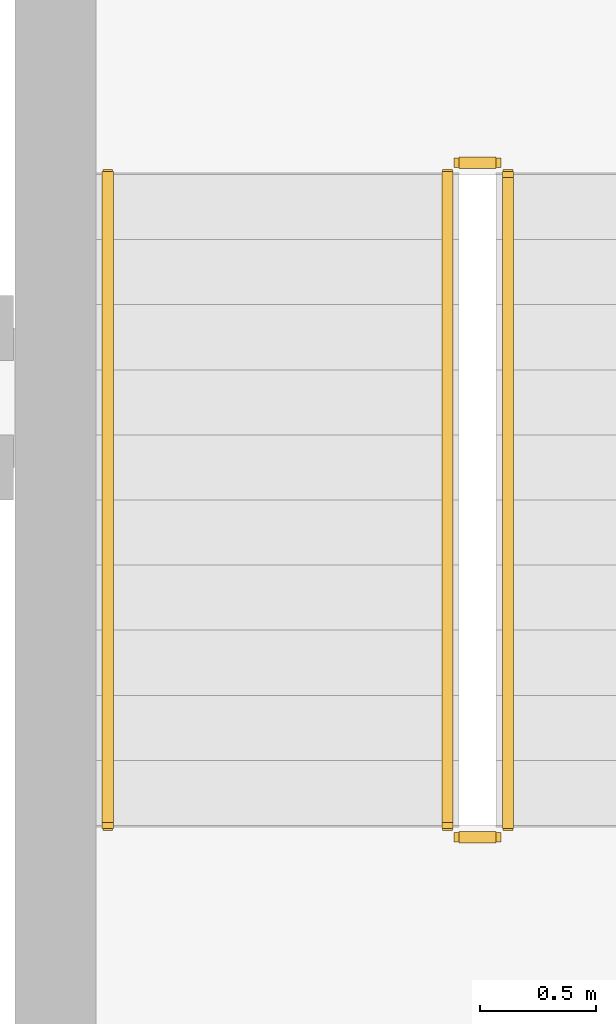
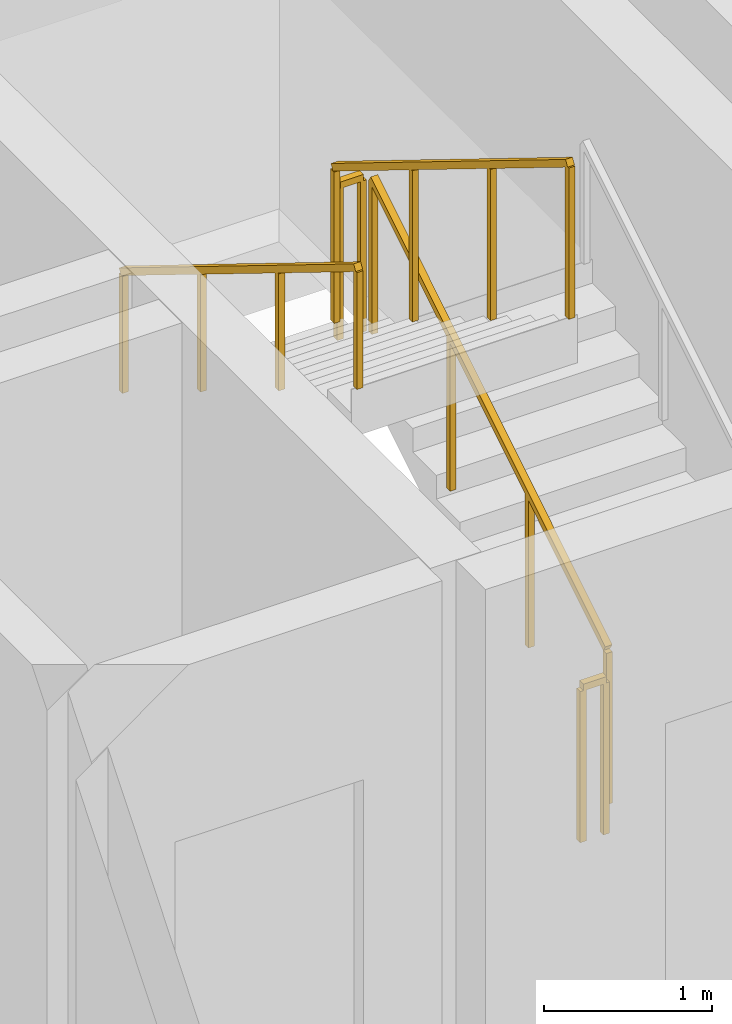
# One storey, part 13 of 14: 5 railings.
"""IFC4 building model written with IfcOpenShell, lengths in metres."""

from ifc_helpers import new_model, si_unit, direction, frame, origin, origin_2d, place, context, subcontext, project, spatial, rectangle, extrude, material, type_object, element, save


model = new_model("IFC4")

# Units and contexts
model_context = context("Model", 3, precision=1e-05, world=origin(), true_north=direction((0.0, 1.0)))
body_context = subcontext(model_context, "Body", "Model", "MODEL_VIEW")
ifc_project = project(units=[si_unit("LENGTHUNIT", "METRE"), si_unit("AREAUNIT", "SQUARE_METRE"), si_unit("VOLUMEUNIT", "CUBIC_METRE"), si_unit("PLANEANGLEUNIT", "RADIAN"), si_unit("MASSUNIT", "GRAM", prefix="KILO")], contexts=[model_context])

# Site, building, storey
site_placement = place(None, origin())
site = spatial("IfcSite", under=ifc_project, at=site_placement, CompositionType="ELEMENT")
building_placement = place(site_placement, origin())
building = spatial("IfcBuilding", under=site, at=building_placement, Name="Kaelvorn Grand Hotel", CompositionType="ELEMENT")
storey_placement = place(building_placement, frame((0.0, 0.0, 193.949951171875)))
storey = spatial("IfcBuildingStorey", under=building, at=storey_placement, Name="L47", CompositionType="ELEMENT", Elevation=193.949951171875)

# Railings
ifc_material = material(Name="Stainless Steel", Category="steel")
railing_type_1 = type_object("IfcRailingType", Name="RL-HANDRAIL-900", PredefinedType="HANDRAIL", material=ifc_material)
railing_1_placement = place(storey_placement, frame((63.3701171875, 44.56005859375, 2.07275390625)))
element("IfcRailing", 1, at=railing_1_placement, inside=storey, type_object=railing_type_1, Name="L47 ST3 stair handrail 2", PredefinedType="HANDRAIL", context=body_context, shape_type="SweptSolid", body=[
    extrude(rectangle(XDim=0.048095703125, YDim=0.048095703125, at=origin_2d()), frame((0.0, 0.0, 0.8759765625), z_axis=(0.0, -0.851089632645, 0.525020415988), x_axis=(1.0, 0.0, 0.0)), (0.0, 0.0, 1.0), 3.2900390625),
    extrude(rectangle(XDim=0.0419921875, YDim=0.0419921875, at=origin_2d()), origin(), (0.0, 0.0, 1.0), 0.851806640625),
    extrude(rectangle(XDim=0.0419921875, YDim=0.0419921875, at=origin_2d()), frame((0.0, -0.933349609375, 0.57568359375)), (0.0, 0.0, 1.0), 0.851806640625),
    extrude(rectangle(XDim=0.0419921875, YDim=0.0419921875, at=origin_2d()), frame((0.0, -1.86669921875, 1.151611328125)), (0.0, 0.0, 1.0), 0.851806640625),
    extrude(rectangle(XDim=0.0419921875, YDim=0.0419921875, at=origin_2d()), frame((0.0, -2.800048828125, 1.727294921875)), (0.0, 0.0, 1.0), 0.851806640625),
])
railing_type_2 = type_object("IfcRailingType", Name="RL-STAIR-GUARD-1150", PredefinedType="BALUSTRADE", material=ifc_material)
railing_2_placement = place(storey_placement, frame((65.090087890625, 41.760009765625, 0.1728515625)))
element("IfcRailing", 2, at=railing_2_placement, inside=storey, type_object=railing_type_2, Name="L47 ST3 stair guard 1", PredefinedType="BALUSTRADE", context=body_context, shape_type="SweptSolid", body=[
    extrude(rectangle(XDim=0.048095703125, YDim=0.048095703125, at=origin_2d()), frame((0.0, 0.0, 1.1259765625), z_axis=(0.0, 0.851089632645, 0.525020415988), x_axis=(-1.0, 0.0, 0.0)), (0.0, 0.0, 1.0), 3.2900390625),
    extrude(rectangle(XDim=0.0419921875, YDim=0.0419921875, at=origin_2d()), origin(), (0.0, 0.0, 1.0), 1.101806640625),
    extrude(rectangle(XDim=0.0419921875, YDim=0.0419921875, at=origin_2d()), frame((0.0, 0.933349609375, 0.57568359375)), (0.0, 0.0, 1.0), 1.101806640625),
    extrude(rectangle(XDim=0.0419921875, YDim=0.0419921875, at=origin_2d()), frame((0.0, 1.86669921875, 1.151611328125)), (0.0, 0.0, 1.0), 1.101806640625),
    extrude(rectangle(XDim=0.0419921875, YDim=0.0419921875, at=origin_2d()), frame((0.0, 2.800048828125, 1.727294921875)), (0.0, 0.0, 1.0), 1.101806640625),
])
railing_3_placement = place(storey_placement, frame((65.0400390625, 44.610107421875, 1.900146484375)))
element("IfcRailing", 3, at=railing_3_placement, inside=storey, type_object=railing_type_2, Name="L47 ST3 stair guard 2", PredefinedType="BALUSTRADE", context=body_context, shape_type="SweptSolid", body=[
    extrude(rectangle(XDim=0.048095703125, YDim=0.048095703125, at=origin_2d()), frame((0.0, 0.0, 1.1259765625), z_axis=(-1.0, 0.0, 0.0), x_axis=(0.0, -1.0, 0.0)), (0.0, 0.0, 1.0), 0.16015625),
    extrude(rectangle(XDim=0.0419921875, YDim=0.0419921875, at=origin_2d()), origin(), (0.0, 0.0, 1.0), 1.101806640625),
    extrude(rectangle(XDim=0.0419921875, YDim=0.0419921875, at=origin_2d()), frame((-0.16015625, 0.0, 0.0)), (0.0, 0.0, 1.0), 1.101806640625),
])
railing_4_placement = place(storey_placement, frame((64.830078125, 44.56005859375, 2.07275390625)))
element("IfcRailing", 4, at=railing_4_placement, inside=storey, type_object=railing_type_2, Name="L47 ST3 stair guard 3", PredefinedType="BALUSTRADE", context=body_context, shape_type="SweptSolid", body=[
    extrude(rectangle(XDim=0.048095703125, YDim=0.048095703125, at=origin_2d()), frame((0.0, 0.0, 1.1259765625), z_axis=(0.0, -0.851089632645, 0.525020415988), x_axis=(1.0, 0.0, 0.0)), (0.0, 0.0, 1.0), 3.2900390625),
    extrude(rectangle(XDim=0.0419921875, YDim=0.0419921875, at=origin_2d()), origin(), (0.0, 0.0, 1.0), 1.101806640625),
    extrude(rectangle(XDim=0.0419921875, YDim=0.0419921875, at=origin_2d()), frame((0.0, -0.933349609375, 0.57568359375)), (0.0, 0.0, 1.0), 1.101806640625),
    extrude(rectangle(XDim=0.0419921875, YDim=0.0419921875, at=origin_2d()), frame((0.0, -1.86669921875, 1.151611328125)), (0.0, 0.0, 1.0), 1.101806640625),
    extrude(rectangle(XDim=0.0419921875, YDim=0.0419921875, at=origin_2d()), frame((0.0, -2.800048828125, 1.727294921875)), (0.0, 0.0, 1.0), 1.101806640625),
])
railing_5_placement = place(storey_placement, frame((65.0400390625, 41.7099609375, 0.0)))
element("IfcRailing", 5, at=railing_5_placement, inside=storey, type_object=railing_type_2, Name="L47 ST3 stair guard 4", PredefinedType="BALUSTRADE", context=body_context, shape_type="SweptSolid", body=[
    extrude(rectangle(XDim=0.048095703125, YDim=0.048095703125, at=origin_2d()), frame((0.0, 0.0, 1.1259765625), z_axis=(-1.0, 0.0, 0.0), x_axis=(0.0, -1.0, 0.0)), (0.0, 0.0, 1.0), 0.16015625),
    extrude(rectangle(XDim=0.0419921875, YDim=0.0419921875, at=origin_2d()), origin(), (0.0, 0.0, 1.0), 1.101806640625),
    extrude(rectangle(XDim=0.0419921875, YDim=0.0419921875, at=origin_2d()), frame((-0.16015625, 0.0, 0.0)), (0.0, 0.0, 1.0), 1.101806640625),
])

save(model, "model.ifc")
